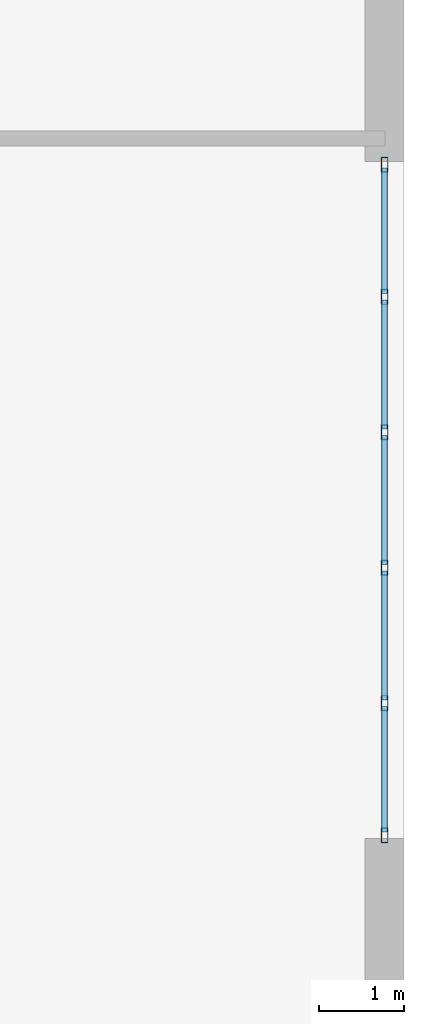
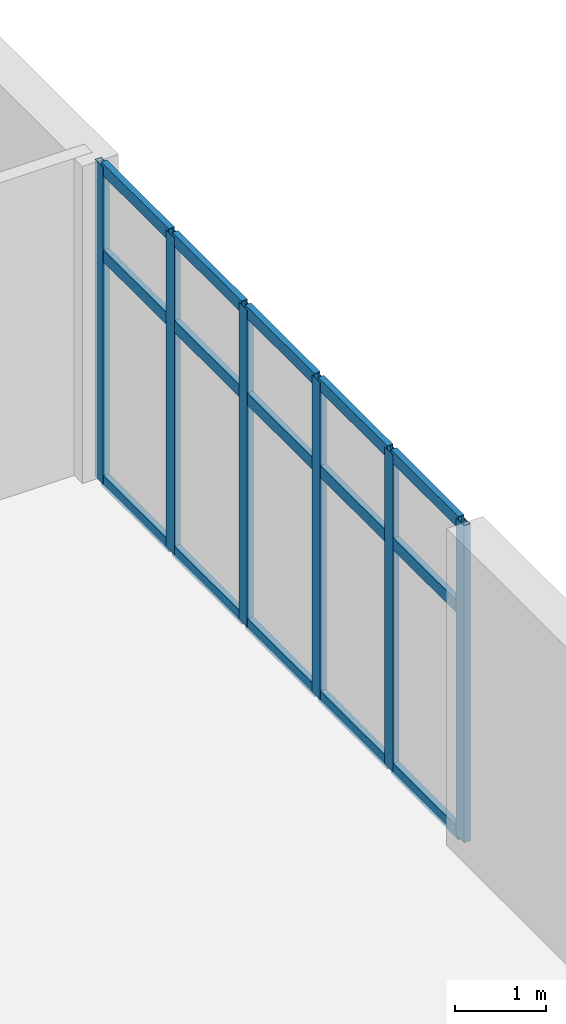
# One storey, part 16 of 29: 21 members, 1 element without a shape of its own.
"""IFC4 building model written with IfcOpenShell, lengths in metres."""

from ifc_helpers import new_model, si_unit, direction, frame, origin, origin_2d, place, context, subcontext, project, spatial, hollow_rectangle, extrude, source, transform, mapped, material, layer, layer_set, material_profile, profile_set, type_object, element, aggregate, save


model = new_model("IFC4")

# Units and contexts
model_context = context("Model", 3, precision=1e-05, world=origin(), true_north=direction((0.0, 1.0)))
body_context = subcontext(model_context, "Body", "Model", "MODEL_VIEW")
ifc_project = project(units=[si_unit("LENGTHUNIT", "METRE"), si_unit("AREAUNIT", "SQUARE_METRE"), si_unit("VOLUMEUNIT", "CUBIC_METRE"), si_unit("PLANEANGLEUNIT", "RADIAN"), si_unit("MASSUNIT", "GRAM", prefix="KILO")], contexts=[model_context])

# Site, building, storey
site_placement = place(None, origin())
site = spatial("IfcSite", under=ifc_project, at=site_placement, CompositionType="ELEMENT")
building_placement = place(site_placement, origin())
building = spatial("IfcBuilding", under=site, at=building_placement, Name="Liaohun Quay Tower", CompositionType="ELEMENT")
storey_placement = place(building_placement, frame((0.0, 0.0, 5.39990234375)))
storey = spatial("IfcBuildingStorey", under=building, at=storey_placement, Name="L02", CompositionType="ELEMENT", Elevation=5.39990234375)

# Curtain wall, members
ifc_material_1 = material(Name="Thermally broken podium arcade storefront curtain wall")
ifc_layer = layer(ifc_material_1, 0.179931640625, Name="Thermally broken podium arcade storefront curtain wall")
ifc_layer_set = layer_set([ifc_layer], Name="Thermally broken podium arcade storefront curtain wall")
curtain_wall_type = type_object("IfcCurtainWallType", Name="CW-POD-RET", PredefinedType="NOTDEFINED", material=ifc_layer_set)
curtain_wall_placement = place(storey_placement, origin())
curtain_wall = element("IfcCurtainWall", 1, at=curtain_wall_placement, inside=storey, type_object=curtain_wall_type, Name="L02 Podium Arcade Storefront CW2-E1", PredefinedType="NOTDEFINED")
ifc_material_2 = material(Name="Anodised aluminium 6063-T6", Category="aluminium")
ifc_material_profile_1 = material_profile(ifc_material_2, hollow_rectangle(XDim=0.074951171875, YDim=0.159912109375, WallThickness=0.0048828125, at=origin_2d()), Name="RHS160x75x5")
ifc_profile_set_1 = profile_set([ifc_material_profile_1], Name="Anodised aluminium 6063-T6")
member_type_1 = type_object("IfcMemberType", Name="MEM-CWT-POD", PredefinedType="USERDEFINED", material=ifc_profile_set_1)
shared_shape_1 = source(origin(), body_context, "Body", "SweptSolid", [
    extrude(hollow_rectangle(XDim=0.074951171875, YDim=0.159912109375, WallThickness=0.0048828125, at=origin_2d()), origin(), (0.0, 0.0, 1.0), 1.47998046875),
])
member_1_placement = place(storey_placement, frame((104.77001953125, 35.31005859375, 0.03759765625), z_axis=(0.0, 1.0, 0.0), x_axis=(-1.0, 0.0, 0.0)))
member_1 = element("IfcMember", 2, at=member_1_placement, type_object=member_type_1, Name="CW2 transom 1.1", ObjectType="TRANSOM", PredefinedType="USERDEFINED", context=body_context, shape_type="MappedRepresentation", body=[
    mapped(shared_shape_1, transform((0.0, 0.0, 0.0), x_axis=(1.0, 0.0, 0.0), y_axis=(0.0, 1.0, 0.0), z_axis=(0.0, 0.0, 1.0), scale=1.0)),
])
member_2_placement = place(storey_placement, frame((104.77001953125, 35.31005859375, 3.06005859375), z_axis=(0.0, 1.0, 0.0), x_axis=(-1.0, 0.0, 0.0)))
member_2 = element("IfcMember", 3, at=member_2_placement, type_object=member_type_1, Name="CW2 transom 1.2", ObjectType="TRANSOM", PredefinedType="USERDEFINED", context=body_context, shape_type="MappedRepresentation", body=[
    mapped(shared_shape_1, transform((0.0, 0.0, 0.0), x_axis=(1.0, 0.0, 0.0), y_axis=(0.0, 1.0, 0.0), z_axis=(0.0, 0.0, 1.0), scale=1.0)),
])
member_3_placement = place(storey_placement, frame((104.77001953125, 35.31005859375, 4.212646484375), z_axis=(0.0, 1.0, 0.0), x_axis=(-1.0, 0.0, 0.0)))
member_3 = element("IfcMember", 4, at=member_3_placement, type_object=member_type_1, Name="CW2 transom 1.3", ObjectType="TRANSOM", PredefinedType="USERDEFINED", context=body_context, shape_type="MappedRepresentation", body=[
    mapped(shared_shape_1, transform((0.0, 0.0, 0.0), x_axis=(1.0, 0.0, 0.0), y_axis=(0.0, 1.0, 0.0), z_axis=(0.0, 0.0, 1.0), scale=1.0)),
])
member_4_placement = place(storey_placement, frame((104.77001953125, 41.669921875, 0.03759765625), z_axis=(0.0, 1.0, 0.0), x_axis=(-1.0, 0.0, 0.0)))
member_4 = element("IfcMember", 5, at=member_4_placement, type_object=member_type_1, Name="CW2 transom 5.1", ObjectType="TRANSOM", PredefinedType="USERDEFINED", context=body_context, shape_type="MappedRepresentation", body=[
    mapped(shared_shape_1, transform((0.0, 0.0, 0.0), x_axis=(1.0, 0.0, 0.0), y_axis=(0.0, 1.0, 0.0), z_axis=(0.0, 0.0, 1.0), scale=1.0)),
])
member_5_placement = place(storey_placement, frame((104.77001953125, 41.669921875, 3.06005859375), z_axis=(0.0, 1.0, 0.0), x_axis=(-1.0, 0.0, 0.0)))
member_5 = element("IfcMember", 6, at=member_5_placement, type_object=member_type_1, Name="CW2 transom 5.2", ObjectType="TRANSOM", PredefinedType="USERDEFINED", context=body_context, shape_type="MappedRepresentation", body=[
    mapped(shared_shape_1, transform((0.0, 0.0, 0.0), x_axis=(1.0, 0.0, 0.0), y_axis=(0.0, 1.0, 0.0), z_axis=(0.0, 0.0, 1.0), scale=1.0)),
])
member_6_placement = place(storey_placement, frame((104.77001953125, 41.669921875, 4.212646484375), z_axis=(0.0, 1.0, 0.0), x_axis=(-1.0, 0.0, 0.0)))
member_6 = element("IfcMember", 7, at=member_6_placement, type_object=member_type_1, Name="CW2 transom 5.3", ObjectType="TRANSOM", PredefinedType="USERDEFINED", context=body_context, shape_type="MappedRepresentation", body=[
    mapped(shared_shape_1, transform((0.0, 0.0, 0.0), x_axis=(1.0, 0.0, 0.0), y_axis=(0.0, 1.0, 0.0), z_axis=(0.0, 0.0, 1.0), scale=1.0)),
])
shared_shape_2 = source(origin(), body_context, "Body", "SweptSolid", [
    extrude(hollow_rectangle(XDim=0.074951171875, YDim=0.159912109375, WallThickness=0.0048828125, at=origin_2d()), origin(), (0.0, 0.0, 1.0), 1.519775390625),
])
member_7_placement = place(storey_placement, frame((104.77001953125, 36.8701171875, 0.03759765625), z_axis=(0.0, 1.0, 0.0), x_axis=(-1.0, 0.0, 0.0)))
member_7 = element("IfcMember", 8, at=member_7_placement, type_object=member_type_1, Name="CW2 transom 2.1", ObjectType="TRANSOM", PredefinedType="USERDEFINED", context=body_context, shape_type="MappedRepresentation", body=[
    mapped(shared_shape_2, transform((0.0, 0.0, 0.0), x_axis=(1.0, 0.0, 0.0), y_axis=(0.0, 1.0, 0.0), z_axis=(0.0, 0.0, 1.0), scale=1.0)),
])
member_8_placement = place(storey_placement, frame((104.77001953125, 36.8701171875, 3.06005859375), z_axis=(0.0, 1.0, 0.0), x_axis=(-1.0, 0.0, 0.0)))
member_8 = element("IfcMember", 9, at=member_8_placement, type_object=member_type_1, Name="CW2 transom 2.2", ObjectType="TRANSOM", PredefinedType="USERDEFINED", context=body_context, shape_type="MappedRepresentation", body=[
    mapped(shared_shape_2, transform((0.0, 0.0, 0.0), x_axis=(1.0, 0.0, 0.0), y_axis=(0.0, 1.0, 0.0), z_axis=(0.0, 0.0, 1.0), scale=1.0)),
])
member_9_placement = place(storey_placement, frame((104.77001953125, 36.8701171875, 4.212646484375), z_axis=(0.0, 1.0, 0.0), x_axis=(-1.0, 0.0, 0.0)))
member_9 = element("IfcMember", 10, at=member_9_placement, type_object=member_type_1, Name="CW2 transom 2.3", ObjectType="TRANSOM", PredefinedType="USERDEFINED", context=body_context, shape_type="MappedRepresentation", body=[
    mapped(shared_shape_2, transform((0.0, 0.0, 0.0), x_axis=(1.0, 0.0, 0.0), y_axis=(0.0, 1.0, 0.0), z_axis=(0.0, 0.0, 1.0), scale=1.0)),
])
shared_shape_3 = source(origin(), body_context, "Body", "SweptSolid", [
    extrude(hollow_rectangle(XDim=0.074951171875, YDim=0.159912109375, WallThickness=0.0048828125, at=origin_2d()), origin(), (0.0, 0.0, 1.0), 1.52001953125),
])
member_10_placement = place(storey_placement, frame((104.77001953125, 38.469970703125, 0.03759765625), z_axis=(0.0, 1.0, 0.0), x_axis=(-1.0, 0.0, 0.0)))
member_10 = element("IfcMember", 11, at=member_10_placement, type_object=member_type_1, Name="CW2 transom 3.1", ObjectType="TRANSOM", PredefinedType="USERDEFINED", context=body_context, shape_type="MappedRepresentation", body=[
    mapped(shared_shape_3, transform((0.0, 0.0, 0.0), x_axis=(1.0, 0.0, 0.0), y_axis=(0.0, 1.0, 0.0), z_axis=(0.0, 0.0, 1.0), scale=1.0)),
])
member_11_placement = place(storey_placement, frame((104.77001953125, 38.469970703125, 3.06005859375), z_axis=(0.0, 1.0, 0.0), x_axis=(-1.0, 0.0, 0.0)))
member_11 = element("IfcMember", 12, at=member_11_placement, type_object=member_type_1, Name="CW2 transom 3.2", ObjectType="TRANSOM", PredefinedType="USERDEFINED", context=body_context, shape_type="MappedRepresentation", body=[
    mapped(shared_shape_3, transform((0.0, 0.0, 0.0), x_axis=(1.0, 0.0, 0.0), y_axis=(0.0, 1.0, 0.0), z_axis=(0.0, 0.0, 1.0), scale=1.0)),
])
member_12_placement = place(storey_placement, frame((104.77001953125, 38.469970703125, 4.212646484375), z_axis=(0.0, 1.0, 0.0), x_axis=(-1.0, 0.0, 0.0)))
member_12 = element("IfcMember", 13, at=member_12_placement, type_object=member_type_1, Name="CW2 transom 3.3", ObjectType="TRANSOM", PredefinedType="USERDEFINED", context=body_context, shape_type="MappedRepresentation", body=[
    mapped(shared_shape_3, transform((0.0, 0.0, 0.0), x_axis=(1.0, 0.0, 0.0), y_axis=(0.0, 1.0, 0.0), z_axis=(0.0, 0.0, 1.0), scale=1.0)),
])
member_13_placement = place(storey_placement, frame((104.77001953125, 40.070068359375, 0.03759765625), z_axis=(0.0, 1.0, 0.0), x_axis=(-1.0, 0.0, 0.0)))
member_13 = element("IfcMember", 14, at=member_13_placement, type_object=member_type_1, Name="CW2 transom 4.1", ObjectType="TRANSOM", PredefinedType="USERDEFINED", context=body_context, shape_type="MappedRepresentation", body=[
    mapped(shared_shape_3, transform((0.0, 0.0, 0.0), x_axis=(1.0, 0.0, 0.0), y_axis=(0.0, 1.0, 0.0), z_axis=(0.0, 0.0, 1.0), scale=1.0)),
])
member_14_placement = place(storey_placement, frame((104.77001953125, 40.070068359375, 3.06005859375), z_axis=(0.0, 1.0, 0.0), x_axis=(-1.0, 0.0, 0.0)))
member_14 = element("IfcMember", 15, at=member_14_placement, type_object=member_type_1, Name="CW2 transom 4.2", ObjectType="TRANSOM", PredefinedType="USERDEFINED", context=body_context, shape_type="MappedRepresentation", body=[
    mapped(shared_shape_3, transform((0.0, 0.0, 0.0), x_axis=(1.0, 0.0, 0.0), y_axis=(0.0, 1.0, 0.0), z_axis=(0.0, 0.0, 1.0), scale=1.0)),
])
member_15_placement = place(storey_placement, frame((104.77001953125, 40.070068359375, 4.212646484375), z_axis=(0.0, 1.0, 0.0), x_axis=(-1.0, 0.0, 0.0)))
member_15 = element("IfcMember", 16, at=member_15_placement, type_object=member_type_1, Name="CW2 transom 4.3", ObjectType="TRANSOM", PredefinedType="USERDEFINED", context=body_context, shape_type="MappedRepresentation", body=[
    mapped(shared_shape_3, transform((0.0, 0.0, 0.0), x_axis=(1.0, 0.0, 0.0), y_axis=(0.0, 1.0, 0.0), z_axis=(0.0, 0.0, 1.0), scale=1.0)),
])
ifc_material_profile_2 = material_profile(ifc_material_2, hollow_rectangle(XDim=0.080078125, YDim=0.179931640625, WallThickness=0.0048828125, at=origin_2d()), Name="RHS180x80x5")
ifc_profile_set_2 = profile_set([ifc_material_profile_2], Name="Anodised aluminium 6063-T6")
member_type_2 = type_object("IfcMemberType", Name="MEM-CWM-POD", PredefinedType="MULLION", material=ifc_profile_set_2)
shared_shape_4 = source(origin(), body_context, "Body", "SweptSolid", [
    extrude(hollow_rectangle(XDim=0.080078125, YDim=0.179931640625, WallThickness=0.0048828125, at=origin_2d()), origin(), (0.0, 0.0, 1.0), 4.25),
])
member_16_placement = place(storey_placement, frame((104.77001953125, 35.27001953125, 0.0), z_axis=(0.0, 0.0, 1.0), x_axis=(-1.0, 0.0, 0.0)))
member_16 = element("IfcMember", 17, at=member_16_placement, type_object=member_type_2, Name="CW2 mullion 1", PredefinedType="MULLION", context=body_context, shape_type="MappedRepresentation", body=[
    mapped(shared_shape_4, transform((0.0, 0.0, 0.0), x_axis=(1.0, 0.0, 0.0), y_axis=(0.0, 1.0, 0.0), z_axis=(0.0, 0.0, 1.0), scale=1.0)),
])
member_17_placement = place(storey_placement, frame((104.77001953125, 36.830078125, 0.0), z_axis=(0.0, 0.0, 1.0), x_axis=(-1.0, 0.0, 0.0)))
member_17 = element("IfcMember", 18, at=member_17_placement, type_object=member_type_2, Name="CW2 mullion 2", PredefinedType="MULLION", context=body_context, shape_type="MappedRepresentation", body=[
    mapped(shared_shape_4, transform((0.0, 0.0, 0.0), x_axis=(1.0, 0.0, 0.0), y_axis=(0.0, 1.0, 0.0), z_axis=(0.0, 0.0, 1.0), scale=1.0)),
])
member_18_placement = place(storey_placement, frame((104.77001953125, 38.429931640625, 0.0), z_axis=(0.0, 0.0, 1.0), x_axis=(-1.0, 0.0, 0.0)))
member_18 = element("IfcMember", 19, at=member_18_placement, type_object=member_type_2, Name="CW2 mullion 3", PredefinedType="MULLION", context=body_context, shape_type="MappedRepresentation", body=[
    mapped(shared_shape_4, transform((0.0, 0.0, 0.0), x_axis=(1.0, 0.0, 0.0), y_axis=(0.0, 1.0, 0.0), z_axis=(0.0, 0.0, 1.0), scale=1.0)),
])
member_19_placement = place(storey_placement, frame((104.77001953125, 40.030029296875, 0.0), z_axis=(0.0, 0.0, 1.0), x_axis=(-1.0, 0.0, 0.0)))
member_19 = element("IfcMember", 20, at=member_19_placement, type_object=member_type_2, Name="CW2 mullion 4", PredefinedType="MULLION", context=body_context, shape_type="MappedRepresentation", body=[
    mapped(shared_shape_4, transform((0.0, 0.0, 0.0), x_axis=(1.0, 0.0, 0.0), y_axis=(0.0, 1.0, 0.0), z_axis=(0.0, 0.0, 1.0), scale=1.0)),
])
member_20_placement = place(storey_placement, frame((104.77001953125, 41.6298828125, 0.0), z_axis=(0.0, 0.0, 1.0), x_axis=(-1.0, 0.0, 0.0)))
member_20 = element("IfcMember", 21, at=member_20_placement, type_object=member_type_2, Name="CW2 mullion 5", PredefinedType="MULLION", context=body_context, shape_type="MappedRepresentation", body=[
    mapped(shared_shape_4, transform((0.0, 0.0, 0.0), x_axis=(1.0, 0.0, 0.0), y_axis=(0.0, 1.0, 0.0), z_axis=(0.0, 0.0, 1.0), scale=1.0)),
])
member_21_placement = place(storey_placement, frame((104.77001953125, 43.18994140625, 0.0), z_axis=(0.0, 0.0, 1.0), x_axis=(-1.0, 0.0, 0.0)))
member_21 = element("IfcMember", 22, at=member_21_placement, type_object=member_type_2, Name="CW2 mullion 6", PredefinedType="MULLION", context=body_context, shape_type="MappedRepresentation", body=[
    mapped(shared_shape_4, transform((0.0, 0.0, 0.0), x_axis=(1.0, 0.0, 0.0), y_axis=(0.0, 1.0, 0.0), z_axis=(0.0, 0.0, 1.0), scale=1.0)),
])
aggregate(curtain_wall, [member_16, member_17, member_18, member_19, member_20, member_21, member_1, member_2, member_3, member_7, member_8, member_9, member_10, member_11, member_12, member_13, member_14, member_15, member_4, member_5, member_6])

save(model, "model.ifc")
